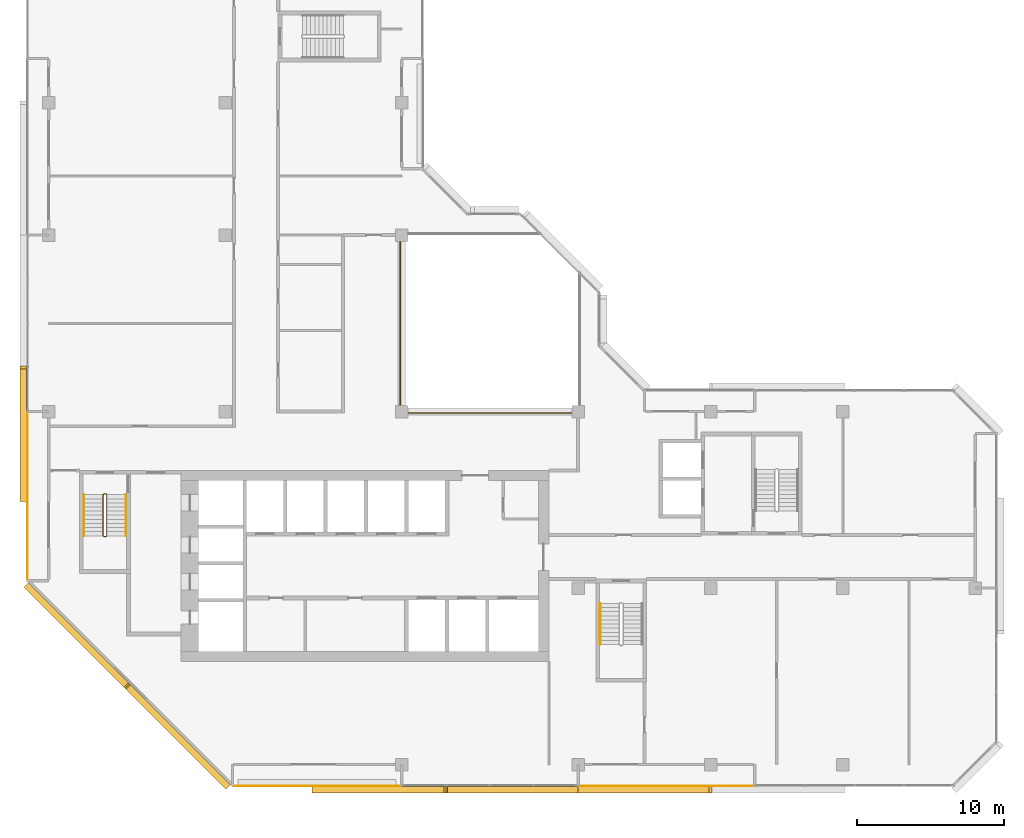
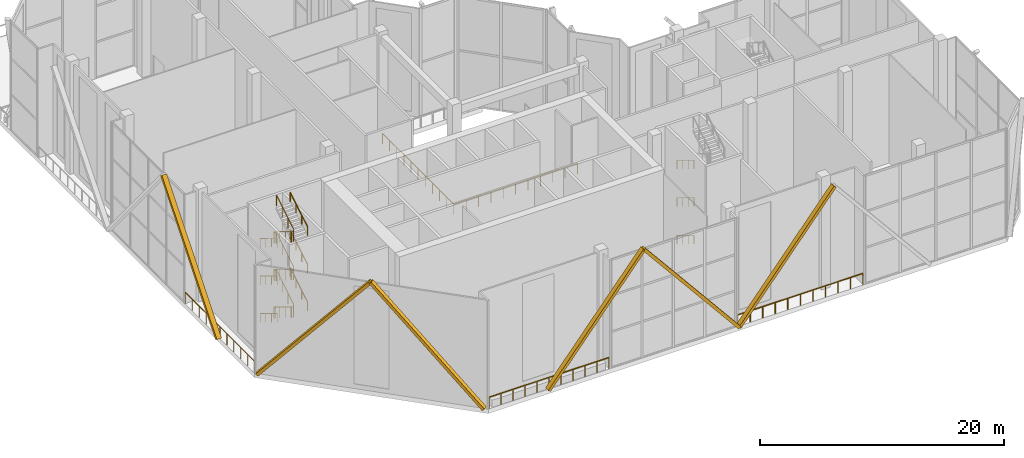
# One storey, part 15 of 18: 14 railings, 6 coverings.
"""IFC4 building model written with IfcOpenShell, lengths in metres."""

import ifcopenshell
import ifcopenshell.guid

model = None  # the IFC model being written
_history = None  # IfcOwnerHistory: only IFC2X3 demands one
_inside = {}  # id of a spatial element -> (the spatial element, [elements in it])
_under = {}  # id of a project, library or spatial element -> (it, [spatial elements below it])
_declared = {}  # id of a project -> (the project, [libraries it declares])
_typed = {}  # id of a type object -> (the type object, [elements of that type])
_made_of = {}  # id of a material, layer set ... -> (it, [elements and type objects made of it])


def new_model(schema):
    """Start an empty IFC model of exactly this schema.

    Asked for "IFC4X3", IfcOpenShell would pick the latest addendum, in which some entities
    have other attributes; the version numbers below select the first issue.
    IFC2X3 requires an IfcOwnerHistory on every rooted entity: one is made here for all.
    """
    global model, _history
    if schema == "IFC4X3":
        model = ifcopenshell.file(schema_version=(4, 3, 0, 0))
    else:
        model = ifcopenshell.file(schema=schema)
    _inside.clear()
    _under.clear()
    _declared.clear()
    _typed.clear()
    _made_of.clear()
    _history = None
    if model.schema == "IFC2X3":
        org = make("IfcOrganization", Name="unknown")
        user = make(
            "IfcPersonAndOrganization",
            ThePerson=make("IfcPerson", FamilyName="unknown"),
            TheOrganization=org,
        )
        app = make(
            "IfcApplication",
            ApplicationDeveloper=org,
            Version="unknown",
            ApplicationFullName="unknown",
            ApplicationIdentifier="unknown",
        )
        _history = make(
            "IfcOwnerHistory",
            OwningUser=user,
            OwningApplication=app,
            ChangeAction="ADDED",
            CreationDate=0,
        )
    return model


def make(cls, **values):
    """One entity of the class cls with the attributes given. An attribute that is None is left unset."""
    return model.create_entity(
        cls, **{name: value for name, value in values.items() if value is not None}
    )


def rooted(cls, **values):
    """An entity with a GlobalId (a new one), such as an element, a storey or a relation."""
    return make(cls, GlobalId=ifcopenshell.guid.new(), OwnerHistory=_history, **values)


def si_unit(unit_type, name, prefix=None):
    """IfcSIUnit, for example si_unit("LENGTHUNIT", "METRE", prefix="MILLI")."""
    return make("IfcSIUnit", UnitType=unit_type, Prefix=prefix, Name=name)


def assignment(units):
    """IfcUnitAssignment: the units of a project."""
    return None if units is None else make("IfcUnitAssignment", Units=units)


def point(xyz):
    """IfcCartesianPoint."""
    return None if xyz is None else make("IfcCartesianPoint", Coordinates=xyz)


def direction(xyz):
    """IfcDirection."""
    return None if xyz is None else make("IfcDirection", DirectionRatios=xyz)


def frame(location, z_axis=None, x_axis=None):
    """IfcAxis2Placement3D, a coordinate frame: its origin and axes. An axis left out is left unset."""
    return make(
        "IfcAxis2Placement3D",
        Location=point(location),
        Axis=direction(z_axis),
        RefDirection=direction(x_axis),
    )


def frame_2d(location, x_axis=None):
    """IfcAxis2Placement2D, a coordinate frame in the plane: its origin and x axis."""
    return make(
        "IfcAxis2Placement2D", Location=point(location), RefDirection=direction(x_axis)
    )


def origin():
    """The frame at (0, 0, 0) with its axes left unset."""
    return frame((0.0, 0.0, 0.0))


def origin_2d():
    """The frame at (0, 0) in the plane with its x axis left unset."""
    return frame_2d((0.0, 0.0))


def place(relative_to, where):
    """IfcLocalPlacement: puts the frame where relative to a parent placement (None: the world)."""
    return make(
        "IfcLocalPlacement", PlacementRelTo=relative_to, RelativePlacement=where
    )


def context(
    kind, dimensions, precision=None, world=None, true_north=None, identifier=None
):
    """IfcGeometricRepresentationContext, for example the 3D "Model" context."""
    return make(
        "IfcGeometricRepresentationContext",
        ContextIdentifier=identifier,
        ContextType=kind,
        CoordinateSpaceDimension=dimensions,
        Precision=precision,
        WorldCoordinateSystem=world,
        TrueNorth=true_north,
    )


def subcontext(parent, identifier, kind, view, scale=None):
    """IfcGeometricRepresentationSubContext, for example "Body" below "Model"."""
    return make(
        "IfcGeometricRepresentationSubContext",
        ContextIdentifier=identifier,
        ContextType=kind,
        ParentContext=parent,
        TargetScale=scale,
        TargetView=view,
    )


def project(units=None, contexts=None):
    """IfcProject with its units and contexts."""
    return rooted(
        "IfcProject",
        Name="project",
        RepresentationContexts=contexts,
        UnitsInContext=assignment(units),
    )


def spatial(cls, under=None, at=None, **own):
    """A site, building, storey or space (cls), placed at a placement, below another one or the project."""
    s = rooted(cls, ObjectPlacement=at, **own)
    if under is not None:
        _under.setdefault(under.id(), (under, []))[1].append(s)
    return s


def profile(cls, at=None, kind="AREA", **sizes):
    """A parametric profile (cls). Its sizes go by their IFC names, for example OverallWidth=200.0."""
    return make(cls, ProfileType=kind, Position=at, **sizes)


def rectangle(**sizes):
    """IfcRectangleProfileDef."""
    return profile("IfcRectangleProfileDef", **sizes)


def extrude(swept, where, along, depth):
    """IfcExtrudedAreaSolid: the profile swept, set in the frame where, extruded along a direction by depth."""
    return make(
        "IfcExtrudedAreaSolid",
        SweptArea=swept,
        Position=where,
        ExtrudedDirection=direction(along),
        Depth=depth,
    )


def shape(context_of_items, identifier, shape_type, items):
    """IfcShapeRepresentation: the items that make up one representation, for example the "Body"."""
    return make(
        "IfcShapeRepresentation",
        ContextOfItems=context_of_items,
        RepresentationIdentifier=identifier,
        RepresentationType=shape_type,
        Items=items,
    )


def material(Name=None, Category=None):
    """IfcMaterial."""
    return make("IfcMaterial", Name=Name, Category=Category)


def material_profile(
    of_material, cross_section, Name=None, Category=None, Priority=None
):
    """IfcMaterialProfile: a cross section and its material."""
    return make(
        "IfcMaterialProfile",
        Name=Name,
        Material=of_material,
        Profile=cross_section,
        Priority=Priority,
        Category=Category,
    )


def profile_set(profiles, Name=None, composite=None):
    """IfcMaterialProfileSet."""
    return make(
        "IfcMaterialProfileSet",
        Name=Name,
        MaterialProfiles=profiles,
        CompositeProfile=composite,
    )


def made_of(thing, what):
    """Note that an element or type object is made of a material, layer set ...; save() writes the relation."""
    if what is not None:
        _made_of.setdefault(what.id(), (what, []))[1].append(thing)
    return thing


def type_object(cls, material=None, **own):
    """A type object (cls), such as IfcWallType, which elements share."""
    return made_of(rooted(cls, **own), material)


def element(
    cls,
    number,
    at=None,
    inside=None,
    cuts=None,
    type_object=None,
    material=None,
    context=None,
    identifier="Body",
    shape_type=None,
    held_by="IfcProductDefinitionShape",
    body=None,
    shapes=None,
    **own,
):
    """One element of the class cls, such as IfcWall. Its Tag is "e" and its number.

    at: its placement. inside: the storey or other place that contains it. cuts: it is an
    opening in that element (IfcRelVoidsElement). A single representation is given by context,
    identifier, shape_type and body (its items); several are given by shapes. held_by: the class
    of the entity that holds the representations. save() writes the other relations.
    """
    e = rooted(cls, Tag="e%d" % number, ObjectPlacement=at, **own)
    if body is not None:
        shapes = [shape(context, identifier, shape_type, body)]
    if shapes is not None:
        e.Representation = make(held_by, Representations=shapes)
    if inside is not None:
        _inside.setdefault(inside.id(), (inside, []))[1].append(e)
    if cuts is not None:
        rooted(
            "IfcRelVoidsElement", RelatingBuildingElement=cuts, RelatedOpeningElement=e
        )
    if type_object is not None:
        _typed.setdefault(type_object.id(), (type_object, []))[1].append(e)
    return made_of(e, material)


def aggregate(whole, parts):
    """IfcRelAggregates: a whole, such as a stair, and the parts it consists of."""
    return rooted("IfcRelAggregates", RelatingObject=whole, RelatedObjects=parts)


def save(model, path):
    """Write the relations noted so far, then the file.

    IfcRelAggregates (storeys below a building ...), IfcRelContainedInSpatialStructure (elements
    in a storey), IfcRelDefinesByType, IfcRelAssociatesMaterial and IfcRelDeclares: one each for
    every whole, place, type object, material and project.
    """
    for whole, parts in _under.values():
        aggregate(whole, parts)
    for where, things in _inside.values():
        rooted(
            "IfcRelContainedInSpatialStructure",
            RelatedElements=things,
            RelatingStructure=where,
        )
    for kind, things in _typed.values():
        rooted("IfcRelDefinesByType", RelatedObjects=things, RelatingType=kind)
    for what, things in _made_of.values():
        rooted("IfcRelAssociatesMaterial", RelatedObjects=things, RelatingMaterial=what)
    for by, libraries in _declared.values():
        rooted("IfcRelDeclares", RelatingContext=by, RelatedDefinitions=libraries)
    model.write(path)


model = new_model("IFC4")

# Units and contexts
model_context = context("Model", 3, precision=1e-05, world=origin(), true_north=direction((0.0, 1.0)))
body_context = subcontext(model_context, "Body", "Model", "MODEL_VIEW")
ifc_project = project(units=[si_unit("LENGTHUNIT", "METRE"), si_unit("AREAUNIT", "SQUARE_METRE"), si_unit("VOLUMEUNIT", "CUBIC_METRE"), si_unit("PLANEANGLEUNIT", "RADIAN"), si_unit("MASSUNIT", "GRAM", prefix="KILO")], contexts=[model_context])

# Site, building, storey
site_placement = place(None, origin())
site = spatial("IfcSite", under=ifc_project, at=site_placement, CompositionType="ELEMENT")
building_placement = place(site_placement, origin())
building = spatial("IfcBuilding", under=site, at=building_placement, Name="Chenar Terraces", CompositionType="ELEMENT")
storey_placement = place(building_placement, frame((0.0, 0.0, 262.14990234375)))
storey = spatial("IfcBuildingStorey", under=building, at=storey_placement, Name="L62", CompositionType="ELEMENT", Elevation=262.14990234375)

# Railings
ifc_material_1 = material(Name="Powder-coated steel", Category="steel")
railing_type_1 = type_object("IfcRailingType", Name="Guard 1100 steel rail with glass infill", PredefinedType="GUARDRAIL", material=ifc_material_1)
railing_1_placement = place(storey_placement, frame((23.89990234375, 35.574951171875, 0.0)))
element("IfcRailing", 1, at=railing_1_placement, inside=storey, type_object=railing_type_1, Name="Guard L62-1", PredefinedType="GUARDRAIL", context=body_context, shape_type="SweptSolid", body=[
    extrude(rectangle(XDim=0.06005859375, YDim=0.06005859375, at=origin_2d()), frame((0.0, 0.0, 1.070068359375), z_axis=(0.0, -1.0, 0.0), x_axis=(1.0, 0.0, 0.0)), (0.0, 0.0, 1.0), 11.675048828125),
    extrude(rectangle(XDim=0.06005859375, YDim=0.06005859375, at=origin_2d()), frame((0.0, -11.675048828125, 1.070068359375), z_axis=(1.0, 0.0, 0.0), x_axis=(0.0, 1.0, 0.0)), (0.0, 0.0, 1.0), 11.675048828125),
    extrude(rectangle(XDim=0.050048828125, YDim=0.050048828125, at=origin_2d()), origin(), (0.0, 0.0, 1.0), 1.0400390625),
    extrude(rectangle(XDim=0.050048828125, YDim=0.050048828125, at=origin_2d()), frame((0.0, -1.16748046875, 0.0)), (0.0, 0.0, 1.0), 1.0400390625),
    extrude(rectangle(XDim=0.050048828125, YDim=0.050048828125, at=origin_2d()), frame((0.0, -2.3349609375, 0.0)), (0.0, 0.0, 1.0), 1.0400390625),
    extrude(rectangle(XDim=0.050048828125, YDim=0.050048828125, at=origin_2d()), frame((0.0, -3.50244140625, 0.0)), (0.0, 0.0, 1.0), 1.0400390625),
    extrude(rectangle(XDim=0.050048828125, YDim=0.050048828125, at=origin_2d()), frame((0.0, -4.669921875, 0.0)), (0.0, 0.0, 1.0), 1.0400390625),
    extrude(rectangle(XDim=0.050048828125, YDim=0.050048828125, at=origin_2d()), frame((0.0, -5.83740234375, 0.0)), (0.0, 0.0, 1.0), 1.0400390625),
    extrude(rectangle(XDim=0.050048828125, YDim=0.050048828125, at=origin_2d()), frame((0.0, -7.005126953125, 0.0)), (0.0, 0.0, 1.0), 1.0400390625),
    extrude(rectangle(XDim=0.050048828125, YDim=0.050048828125, at=origin_2d()), frame((0.0, -8.172607421875, 0.0)), (0.0, 0.0, 1.0), 1.0400390625),
    extrude(rectangle(XDim=0.050048828125, YDim=0.050048828125, at=origin_2d()), frame((0.0, -9.340087890625, 0.0)), (0.0, 0.0, 1.0), 1.0400390625),
    extrude(rectangle(XDim=0.050048828125, YDim=0.050048828125, at=origin_2d()), frame((0.0, -10.507568359375, 0.0)), (0.0, 0.0, 1.0), 1.0400390625),
    extrude(rectangle(XDim=0.050048828125, YDim=0.050048828125, at=origin_2d()), frame((0.0, -11.675048828125, 0.0)), (0.0, 0.0, 1.0), 1.0400390625),
    extrude(rectangle(XDim=0.050048828125, YDim=0.050048828125, at=origin_2d()), frame((1.16748046875, -11.675048828125, 0.0)), (0.0, 0.0, 1.0), 1.0400390625),
    extrude(rectangle(XDim=0.050048828125, YDim=0.050048828125, at=origin_2d()), frame((2.3349609375, -11.675048828125, 0.0)), (0.0, 0.0, 1.0), 1.0400390625),
    extrude(rectangle(XDim=0.050048828125, YDim=0.050048828125, at=origin_2d()), frame((3.50244140625, -11.675048828125, 0.0)), (0.0, 0.0, 1.0), 1.0400390625),
    extrude(rectangle(XDim=0.050048828125, YDim=0.050048828125, at=origin_2d()), frame((4.669921875, -11.675048828125, 0.0)), (0.0, 0.0, 1.0), 1.0400390625),
    extrude(rectangle(XDim=0.050048828125, YDim=0.050048828125, at=origin_2d()), frame((5.83740234375, -11.675048828125, 0.0)), (0.0, 0.0, 1.0), 1.0400390625),
    extrude(rectangle(XDim=0.050048828125, YDim=0.050048828125, at=origin_2d()), frame((7.005126953125, -11.675048828125, 0.0)), (0.0, 0.0, 1.0), 1.0400390625),
    extrude(rectangle(XDim=0.050048828125, YDim=0.050048828125, at=origin_2d()), frame((8.172607421875, -11.675048828125, 0.0)), (0.0, 0.0, 1.0), 1.0400390625),
    extrude(rectangle(XDim=0.050048828125, YDim=0.050048828125, at=origin_2d()), frame((9.340087890625, -11.675048828125, 0.0)), (0.0, 0.0, 1.0), 1.0400390625),
    extrude(rectangle(XDim=0.050048828125, YDim=0.050048828125, at=origin_2d()), frame((10.507568359375, -11.675048828125, 0.0)), (0.0, 0.0, 1.0), 1.0400390625),
    extrude(rectangle(XDim=0.050048828125, YDim=0.050048828125, at=origin_2d()), frame((11.675048828125, -11.675048828125, 0.0)), (0.0, 0.0, 1.0), 1.0400390625),
])
ifc_material_2 = material(Name="Stainless steel and glass", Category="steel")
railing_type_2 = type_object("IfcRailingType", Name="Loggia guard 1150", PredefinedType="GUARDRAIL", material=ifc_material_2)
railing_2_placement = place(storey_placement, frame((12.574951171875, -1.449951171875, 0.0)))
element("IfcRailing", 2, at=railing_2_placement, inside=storey, type_object=railing_type_2, Name="Loggia guard", PredefinedType="GUARDRAIL", context=body_context, shape_type="SweptSolid", body=[
    extrude(rectangle(XDim=0.048095703125, YDim=0.048095703125, at=origin_2d()), frame((0.0, 0.0, 1.1259765625), z_axis=(1.0, 0.0, 0.0), x_axis=(0.0, 1.0, 0.0)), (0.0, 0.0, 1.0), 11.35009765625),
    extrude(rectangle(XDim=0.0419921875, YDim=0.0419921875, at=origin_2d()), origin(), (0.0, 0.0, 1.0), 1.101806640625),
    extrude(rectangle(XDim=0.0419921875, YDim=0.0419921875, at=origin_2d()), frame((1.135009765625, 0.0, 0.0)), (0.0, 0.0, 1.0), 1.101806640625),
    extrude(rectangle(XDim=0.0419921875, YDim=0.0419921875, at=origin_2d()), frame((2.27001953125, 0.0, 0.0)), (0.0, 0.0, 1.0), 1.101806640625),
    extrude(rectangle(XDim=0.0419921875, YDim=0.0419921875, at=origin_2d()), frame((3.405029296875, 0.0, 0.0)), (0.0, 0.0, 1.0), 1.101806640625),
    extrude(rectangle(XDim=0.0419921875, YDim=0.0419921875, at=origin_2d()), frame((4.5400390625, 0.0, 0.0)), (0.0, 0.0, 1.0), 1.101806640625),
    extrude(rectangle(XDim=0.0419921875, YDim=0.0419921875, at=origin_2d()), frame((5.675048828125, 0.0, 0.0)), (0.0, 0.0, 1.0), 1.101806640625),
    extrude(rectangle(XDim=0.0419921875, YDim=0.0419921875, at=origin_2d()), frame((6.81005859375, 0.0, 0.0)), (0.0, 0.0, 1.0), 1.101806640625),
    extrude(rectangle(XDim=0.0419921875, YDim=0.0419921875, at=origin_2d()), frame((7.945068359375, 0.0, 0.0)), (0.0, 0.0, 1.0), 1.101806640625),
    extrude(rectangle(XDim=0.0419921875, YDim=0.0419921875, at=origin_2d()), frame((9.080078125, 0.0, 0.0)), (0.0, 0.0, 1.0), 1.101806640625),
    extrude(rectangle(XDim=0.0419921875, YDim=0.0419921875, at=origin_2d()), frame((10.215087890625, 0.0, 0.0)), (0.0, 0.0, 1.0), 1.101806640625),
    extrude(rectangle(XDim=0.0419921875, YDim=0.0419921875, at=origin_2d()), frame((11.35009765625, 0.0, 0.0)), (0.0, 0.0, 1.0), 1.101806640625),
])
railing_3_placement = place(storey_placement, frame((36.074951171875, -1.449951171875, 0.0)))
element("IfcRailing", 3, at=railing_3_placement, inside=storey, type_object=railing_type_2, Name="Loggia guard", PredefinedType="GUARDRAIL", context=body_context, shape_type="SweptSolid", body=[
    extrude(rectangle(XDim=0.048095703125, YDim=0.048095703125, at=origin_2d()), frame((0.0, 0.0, 1.1259765625), z_axis=(1.0, 0.0, 0.0), x_axis=(0.0, 1.0, 0.0)), (0.0, 0.0, 1.0), 11.85009765625),
    extrude(rectangle(XDim=0.0419921875, YDim=0.0419921875, at=origin_2d()), origin(), (0.0, 0.0, 1.0), 1.101806640625),
    extrude(rectangle(XDim=0.0419921875, YDim=0.0419921875, at=origin_2d()), frame((1.18505859375, 0.0, 0.0)), (0.0, 0.0, 1.0), 1.101806640625),
    extrude(rectangle(XDim=0.0419921875, YDim=0.0419921875, at=origin_2d()), frame((2.3701171875, 0.0, 0.0)), (0.0, 0.0, 1.0), 1.101806640625),
    extrude(rectangle(XDim=0.0419921875, YDim=0.0419921875, at=origin_2d()), frame((3.554931640625, 0.0, 0.0)), (0.0, 0.0, 1.0), 1.101806640625),
    extrude(rectangle(XDim=0.0419921875, YDim=0.0419921875, at=origin_2d()), frame((4.739990234375, 0.0, 0.0)), (0.0, 0.0, 1.0), 1.101806640625),
    extrude(rectangle(XDim=0.0419921875, YDim=0.0419921875, at=origin_2d()), frame((5.925048828125, 0.0, 0.0)), (0.0, 0.0, 1.0), 1.101806640625),
    extrude(rectangle(XDim=0.0419921875, YDim=0.0419921875, at=origin_2d()), frame((7.110107421875, 0.0, 0.0)), (0.0, 0.0, 1.0), 1.101806640625),
    extrude(rectangle(XDim=0.0419921875, YDim=0.0419921875, at=origin_2d()), frame((8.295166015625, 0.0, 0.0)), (0.0, 0.0, 1.0), 1.101806640625),
    extrude(rectangle(XDim=0.0419921875, YDim=0.0419921875, at=origin_2d()), frame((9.47998046875, 0.0, 0.0)), (0.0, 0.0, 1.0), 1.101806640625),
    extrude(rectangle(XDim=0.0419921875, YDim=0.0419921875, at=origin_2d()), frame((10.6650390625, 0.0, 0.0)), (0.0, 0.0, 1.0), 1.101806640625),
    extrude(rectangle(XDim=0.0419921875, YDim=0.0419921875, at=origin_2d()), frame((11.85009765625, 0.0, 0.0)), (0.0, 0.0, 1.0), 1.101806640625),
])
railing_4_placement = place(storey_placement, frame((-1.449951171875, 23.925048828125, 0.0)))
element("IfcRailing", 4, at=railing_4_placement, inside=storey, type_object=railing_type_2, Name="Loggia guard", PredefinedType="GUARDRAIL", context=body_context, shape_type="SweptSolid", body=[
    extrude(rectangle(XDim=0.048095703125, YDim=0.048095703125, at=origin_2d()), frame((0.0, 0.0, 1.1259765625), z_axis=(0.0, -1.0, 0.0), x_axis=(1.0, 0.0, 0.0)), (0.0, 0.0, 1.0), 11.35009765625),
    extrude(rectangle(XDim=0.0419921875, YDim=0.0419921875, at=origin_2d()), origin(), (0.0, 0.0, 1.0), 1.101806640625),
    extrude(rectangle(XDim=0.0419921875, YDim=0.0419921875, at=origin_2d()), frame((0.0, -1.135009765625, 0.0)), (0.0, 0.0, 1.0), 1.101806640625),
    extrude(rectangle(XDim=0.0419921875, YDim=0.0419921875, at=origin_2d()), frame((0.0, -2.27001953125, 0.0)), (0.0, 0.0, 1.0), 1.101806640625),
    extrude(rectangle(XDim=0.0419921875, YDim=0.0419921875, at=origin_2d()), frame((0.0, -3.405029296875, 0.0)), (0.0, 0.0, 1.0), 1.101806640625),
    extrude(rectangle(XDim=0.0419921875, YDim=0.0419921875, at=origin_2d()), frame((0.0, -4.5400390625, 0.0)), (0.0, 0.0, 1.0), 1.101806640625),
    extrude(rectangle(XDim=0.0419921875, YDim=0.0419921875, at=origin_2d()), frame((0.0, -5.675048828125, 0.0)), (0.0, 0.0, 1.0), 1.101806640625),
    extrude(rectangle(XDim=0.0419921875, YDim=0.0419921875, at=origin_2d()), frame((0.0, -6.81005859375, 0.0)), (0.0, 0.0, 1.0), 1.101806640625),
    extrude(rectangle(XDim=0.0419921875, YDim=0.0419921875, at=origin_2d()), frame((0.0, -7.945068359375, 0.0)), (0.0, 0.0, 1.0), 1.101806640625),
    extrude(rectangle(XDim=0.0419921875, YDim=0.0419921875, at=origin_2d()), frame((0.0, -9.080078125, 0.0)), (0.0, 0.0, 1.0), 1.101806640625),
    extrude(rectangle(XDim=0.0419921875, YDim=0.0419921875, at=origin_2d()), frame((0.0, -10.215087890625, 0.0)), (0.0, 0.0, 1.0), 1.101806640625),
    extrude(rectangle(XDim=0.0419921875, YDim=0.0419921875, at=origin_2d()), frame((0.0, -11.35009765625, 0.0)), (0.0, 0.0, 1.0), 1.101806640625),
])
ifc_material_3 = material(Name="Powder-coated steel", Category="steel")
railing_type_3 = type_object("IfcRailingType", Name="Stair guard 1100", PredefinedType="GUARDRAIL", material=ifc_material_3)
railing_5_placement = place(storey_placement, frame((3.949951171875, 18.35009765625, 11.25)))
element("IfcRailing", 5, at=railing_5_placement, inside=storey, type_object=railing_type_3, Name="L62 ST1 stair guard 1", PredefinedType="GUARDRAIL", context=body_context, shape_type="SweptSolid", body=[
    extrude(rectangle(XDim=0.048095703125, YDim=0.048095703125, at=origin_2d()), frame((0.0, 0.0, 1.076171875), z_axis=(0.0, -0.854202870247, -0.519939858505), x_axis=(1.0, 0.0, 0.0)), (0.0, 0.0, 1.0), 3.278076171875),
    extrude(rectangle(XDim=0.048095703125, YDim=0.048095703125, at=origin_2d()), frame((0.0, -2.800048828125, -0.62841796875), z_axis=(-0.270899902878, -0.270899902878, -0.923702595667), x_axis=(0.707106781187, -0.707106781187, 0.0)), (0.0, 0.0, 1.0), 0.184814453125),
    extrude(rectangle(XDim=0.048095703125, YDim=0.048095703125, at=origin_2d()), frame((-0.050048828125, -2.85009765625, -0.798828125), z_axis=(-1.0, 0.0, 0.0), x_axis=(0.0, -1.0, 0.0)), (0.0, 0.0, 1.0), 0.14990234375),
    extrude(rectangle(XDim=0.048095703125, YDim=0.048095703125, at=origin_2d()), frame((-0.199951171875, -2.85009765625, -0.798828125), z_axis=(-0.707106781187, 0.707106781187, 0.0), x_axis=(-0.707106781187, -0.707106781187, 0.0)), (0.0, 0.0, 1.0), 0.07080078125),
    extrude(rectangle(XDim=0.048095703125, YDim=0.048095703125, at=origin_2d()), frame((-0.25, -2.800048828125, -0.798828125), z_axis=(0.0, 0.854202870247, -0.519939858505), x_axis=(-1.0, 0.0, 0.0)), (0.0, 0.0, 1.0), 3.278076171875),
    extrude(rectangle(XDim=0.048095703125, YDim=0.048095703125, at=origin_2d()), frame((-0.25, 0.0, -2.50341796875), z_axis=(0.747336813268, 0.186149828946, -0.637836913888), x_axis=(-0.241699205484, 0.970351222016, 0.0)), (0.0, 0.0, 1.0), 0.267578125),
    extrude(rectangle(XDim=0.048095703125, YDim=0.048095703125, at=origin_2d()), frame((-0.050048828125, 0.0498046875, -2.673828125), z_axis=(-1.0, 0.0, 0.0), x_axis=(0.0, -1.0, 0.0)), (0.0, 0.0, 1.0), 0.14990234375),
    extrude(rectangle(XDim=0.048095703125, YDim=0.048095703125, at=origin_2d()), frame((-0.199951171875, 0.0498046875, -2.673828125), z_axis=(0.970351222016, -0.241699205484, 0.0), x_axis=(0.241699205484, 0.970351222016, 0.0)), (0.0, 0.0, 1.0), 0.2060546875),
    extrude(rectangle(XDim=0.048095703125, YDim=0.048095703125, at=origin_2d()), frame((0.0, 0.0, -2.673828125), z_axis=(0.0, -0.854202870247, -0.519939858505), x_axis=(1.0, 0.0, 0.0)), (0.0, 0.0, 1.0), 3.278076171875),
    extrude(rectangle(XDim=0.048095703125, YDim=0.048095703125, at=origin_2d()), frame((0.0, -2.800048828125, -4.37841796875), z_axis=(-0.270899902878, -0.270899902878, -0.923702595667), x_axis=(0.707106781187, -0.707106781187, 0.0)), (0.0, 0.0, 1.0), 0.184814453125),
    extrude(rectangle(XDim=0.048095703125, YDim=0.048095703125, at=origin_2d()), frame((-0.050048828125, -2.85009765625, -4.548828125), z_axis=(-1.0, 0.0, 0.0), x_axis=(0.0, -1.0, 0.0)), (0.0, 0.0, 1.0), 0.14990234375),
    extrude(rectangle(XDim=0.048095703125, YDim=0.048095703125, at=origin_2d()), frame((-0.199951171875, -2.85009765625, -4.548828125), z_axis=(-0.707106781187, 0.707106781187, 0.0), x_axis=(-0.707106781187, -0.707106781187, 0.0)), (0.0, 0.0, 1.0), 0.07080078125),
    extrude(rectangle(XDim=0.048095703125, YDim=0.048095703125, at=origin_2d()), frame((-0.25, -2.800048828125, -4.548828125), z_axis=(0.0, 0.854202870247, -0.519939858505), x_axis=(-1.0, 0.0, 0.0)), (0.0, 0.0, 1.0), 3.278076171875),
    extrude(rectangle(XDim=0.048095703125, YDim=0.048095703125, at=origin_2d()), frame((-0.25, 0.0, -6.25341796875), z_axis=(0.747336813268, 0.186149828946, -0.637836913888), x_axis=(-0.241699205484, 0.970351222016, 0.0)), (0.0, 0.0, 1.0), 0.267578125),
    extrude(rectangle(XDim=0.048095703125, YDim=0.048095703125, at=origin_2d()), frame((-0.050048828125, 0.0498046875, -6.423828125), z_axis=(-1.0, 0.0, 0.0), x_axis=(0.0, -1.0, 0.0)), (0.0, 0.0, 1.0), 0.14990234375),
    extrude(rectangle(XDim=0.048095703125, YDim=0.048095703125, at=origin_2d()), frame((-0.199951171875, 0.0498046875, -6.423828125), z_axis=(0.970351222016, -0.241699205484, 0.0), x_axis=(0.241699205484, 0.970351222016, 0.0)), (0.0, 0.0, 1.0), 0.2060546875),
    extrude(rectangle(XDim=0.048095703125, YDim=0.048095703125, at=origin_2d()), frame((0.0, 0.0, -6.423828125), z_axis=(0.0, -0.854202870247, -0.519939858505), x_axis=(1.0, 0.0, 0.0)), (0.0, 0.0, 1.0), 3.278076171875),
    extrude(rectangle(XDim=0.048095703125, YDim=0.048095703125, at=origin_2d()), frame((0.0, -2.800048828125, -8.12841796875), z_axis=(-0.270899902878, -0.270899902878, -0.923702595667), x_axis=(0.707106781187, -0.707106781187, 0.0)), (0.0, 0.0, 1.0), 0.184814453125),
    extrude(rectangle(XDim=0.048095703125, YDim=0.048095703125, at=origin_2d()), frame((-0.050048828125, -2.85009765625, -8.298828125), z_axis=(-1.0, 0.0, 0.0), x_axis=(0.0, -1.0, 0.0)), (0.0, 0.0, 1.0), 0.14990234375),
    extrude(rectangle(XDim=0.048095703125, YDim=0.048095703125, at=origin_2d()), frame((-0.199951171875, -2.85009765625, -8.298828125), z_axis=(-0.707106781187, 0.707106781187, 0.0), x_axis=(-0.707106781187, -0.707106781187, 0.0)), (0.0, 0.0, 1.0), 0.07080078125),
    extrude(rectangle(XDim=0.048095703125, YDim=0.048095703125, at=origin_2d()), frame((-0.25, -2.800048828125, -8.298828125), z_axis=(0.0, 0.854202870247, -0.519939858505), x_axis=(-1.0, 0.0, 0.0)), (0.0, 0.0, 1.0), 3.278076171875),
    extrude(rectangle(XDim=0.048095703125, YDim=0.048095703125, at=origin_2d()), frame((-0.25, 0.0, -10.00341796875), z_axis=(0.270996696079, 0.269674760976, -0.924032636873), x_axis=(-0.705375805398, 0.708833529934, 0.0)), (0.0, 0.0, 1.0), 0.1845703125),
    extrude(rectangle(XDim=0.048095703125, YDim=0.048095703125, at=origin_2d()), frame((-0.199951171875, 0.0498046875, -10.173828125), z_axis=(1.0, 0.0, 0.0), x_axis=(0.0, 1.0, 0.0)), (0.0, 0.0, 1.0), 0.14990234375),
    extrude(rectangle(XDim=0.0419921875, YDim=0.0419921875, at=origin_2d()), origin(), (0.0, 0.0, 1.0), 1.052001953125),
    extrude(rectangle(XDim=0.0419921875, YDim=0.0419921875, at=origin_2d()), frame((0.0, -0.933349609375, -0.568115234375)), (0.0, 0.0, 1.0), 1.052001953125),
    extrude(rectangle(XDim=0.0419921875, YDim=0.0419921875, at=origin_2d()), frame((0.0, -1.86669921875, -1.13623046875)), (0.0, 0.0, 1.0), 1.052001953125),
    extrude(rectangle(XDim=0.0419921875, YDim=0.0419921875, at=origin_2d()), frame((0.0, -2.800048828125, -1.704345703125)), (0.0, 0.0, 1.0), 1.052001953125),
    extrude(rectangle(XDim=0.0419921875, YDim=0.0419921875, at=origin_2d()), frame((-0.050048828125, -2.85009765625, -1.875)), (0.0, 0.0, 1.0), 1.052001953125),
    extrude(rectangle(XDim=0.0419921875, YDim=0.0419921875, at=origin_2d()), frame((-0.199951171875, -2.85009765625, -1.875)), (0.0, 0.0, 1.0), 1.052001953125),
    extrude(rectangle(XDim=0.0419921875, YDim=0.0419921875, at=origin_2d()), frame((-0.25, -2.800048828125, -1.875)), (0.0, 0.0, 1.0), 1.052001953125),
    extrude(rectangle(XDim=0.0419921875, YDim=0.0419921875, at=origin_2d()), frame((-0.25, -1.86669921875, -2.443115234375)), (0.0, 0.0, 1.0), 1.052001953125),
    extrude(rectangle(XDim=0.0419921875, YDim=0.0419921875, at=origin_2d()), frame((-0.25, -0.933349609375, -3.01123046875)), (0.0, 0.0, 1.0), 1.052001953125),
    extrude(rectangle(XDim=0.0419921875, YDim=0.0419921875, at=origin_2d()), frame((-0.25, 0.0, -3.579345703125)), (0.0, 0.0, 1.0), 1.052001953125),
    extrude(rectangle(XDim=0.0419921875, YDim=0.0419921875, at=origin_2d()), frame((-0.050048828125, 0.0498046875, -3.75)), (0.0, 0.0, 1.0), 1.052001953125),
    extrude(rectangle(XDim=0.0419921875, YDim=0.0419921875, at=origin_2d()), frame((-0.199951171875, 0.0498046875, -3.75)), (0.0, 0.0, 1.0), 1.052001953125),
    extrude(rectangle(XDim=0.0419921875, YDim=0.0419921875, at=origin_2d()), frame((0.0, 0.0, -3.75)), (0.0, 0.0, 1.0), 1.052001953125),
    extrude(rectangle(XDim=0.0419921875, YDim=0.0419921875, at=origin_2d()), frame((0.0, -0.933349609375, -4.318115234375)), (0.0, 0.0, 1.0), 1.052001953125),
    extrude(rectangle(XDim=0.0419921875, YDim=0.0419921875, at=origin_2d()), frame((0.0, -1.86669921875, -4.88623046875)), (0.0, 0.0, 1.0), 1.052001953125),
    extrude(rectangle(XDim=0.0419921875, YDim=0.0419921875, at=origin_2d()), frame((0.0, -2.800048828125, -5.454345703125)), (0.0, 0.0, 1.0), 1.052001953125),
    extrude(rectangle(XDim=0.0419921875, YDim=0.0419921875, at=origin_2d()), frame((-0.050048828125, -2.85009765625, -5.625)), (0.0, 0.0, 1.0), 1.052001953125),
    extrude(rectangle(XDim=0.0419921875, YDim=0.0419921875, at=origin_2d()), frame((-0.199951171875, -2.85009765625, -5.625)), (0.0, 0.0, 1.0), 1.052001953125),
    extrude(rectangle(XDim=0.0419921875, YDim=0.0419921875, at=origin_2d()), frame((-0.25, -2.800048828125, -5.625)), (0.0, 0.0, 1.0), 1.052001953125),
    extrude(rectangle(XDim=0.0419921875, YDim=0.0419921875, at=origin_2d()), frame((-0.25, -1.86669921875, -6.193115234375)), (0.0, 0.0, 1.0), 1.052001953125),
    extrude(rectangle(XDim=0.0419921875, YDim=0.0419921875, at=origin_2d()), frame((-0.25, -0.933349609375, -6.76123046875)), (0.0, 0.0, 1.0), 1.052001953125),
    extrude(rectangle(XDim=0.0419921875, YDim=0.0419921875, at=origin_2d()), frame((-0.25, 0.0, -7.329345703125)), (0.0, 0.0, 1.0), 1.052001953125),
    extrude(rectangle(XDim=0.0419921875, YDim=0.0419921875, at=origin_2d()), frame((-0.050048828125, 0.0498046875, -7.5)), (0.0, 0.0, 1.0), 1.052001953125),
    extrude(rectangle(XDim=0.0419921875, YDim=0.0419921875, at=origin_2d()), frame((-0.199951171875, 0.0498046875, -7.5)), (0.0, 0.0, 1.0), 1.052001953125),
    extrude(rectangle(XDim=0.0419921875, YDim=0.0419921875, at=origin_2d()), frame((0.0, 0.0, -7.5)), (0.0, 0.0, 1.0), 1.052001953125),
    extrude(rectangle(XDim=0.0419921875, YDim=0.0419921875, at=origin_2d()), frame((0.0, -0.933349609375, -8.068115234375)), (0.0, 0.0, 1.0), 1.052001953125),
    extrude(rectangle(XDim=0.0419921875, YDim=0.0419921875, at=origin_2d()), frame((0.0, -1.86669921875, -8.63623046875)), (0.0, 0.0, 1.0), 1.052001953125),
    extrude(rectangle(XDim=0.0419921875, YDim=0.0419921875, at=origin_2d()), frame((0.0, -2.800048828125, -9.204345703125)), (0.0, 0.0, 1.0), 1.052001953125),
    extrude(rectangle(XDim=0.0419921875, YDim=0.0419921875, at=origin_2d()), frame((-0.050048828125, -2.85009765625, -9.375)), (0.0, 0.0, 1.0), 1.052001953125),
    extrude(rectangle(XDim=0.0419921875, YDim=0.0419921875, at=origin_2d()), frame((-0.199951171875, -2.85009765625, -9.375)), (0.0, 0.0, 1.0), 1.052001953125),
    extrude(rectangle(XDim=0.0419921875, YDim=0.0419921875, at=origin_2d()), frame((-0.25, -2.800048828125, -9.375)), (0.0, 0.0, 1.0), 1.052001953125),
    extrude(rectangle(XDim=0.0419921875, YDim=0.0419921875, at=origin_2d()), frame((-0.25, -1.86669921875, -9.943115234375)), (0.0, 0.0, 1.0), 1.052001953125),
    extrude(rectangle(XDim=0.0419921875, YDim=0.0419921875, at=origin_2d()), frame((-0.25, -0.933349609375, -10.51123046875)), (0.0, 0.0, 1.0), 1.052001953125),
    extrude(rectangle(XDim=0.0419921875, YDim=0.0419921875, at=origin_2d()), frame((-0.25, 0.0, -11.079345703125)), (0.0, 0.0, 1.0), 1.052001953125),
    extrude(rectangle(XDim=0.0419921875, YDim=0.0419921875, at=origin_2d()), frame((-0.199951171875, 0.0498046875, -11.25)), (0.0, 0.0, 1.0), 1.052001953125),
    extrude(rectangle(XDim=0.0419921875, YDim=0.0419921875, at=origin_2d()), frame((-0.050048828125, 0.0498046875, -11.25)), (0.0, 0.0, 1.0), 1.052001953125),
])
ifc_material_4 = material(Name="Powder-coated steel", Category="steel")
railing_type_4 = type_object("IfcRailingType", Name="Stair handrail 900", PredefinedType="HANDRAIL", material=ifc_material_4)
railing_6_placement = place(storey_placement, frame((2.39990234375, 18.35009765625, 0.170654296875)))
element("IfcRailing", 6, at=railing_6_placement, inside=storey, type_object=railing_type_4, Name="L62 ST1 stair handrail 1", PredefinedType="HANDRAIL", context=body_context, shape_type="SweptSolid", body=[
    extrude(rectangle(XDim=0.048095703125, YDim=0.048095703125, at=origin_2d()), frame((0.0, 0.0, 0.8759765625), z_axis=(0.0, -0.854202870247, 0.519939858505), x_axis=(1.0, 0.0, 0.0)), (0.0, 0.0, 1.0), 3.278076171875),
    extrude(rectangle(XDim=0.0419921875, YDim=0.0419921875, at=origin_2d()), origin(), (0.0, 0.0, 1.0), 0.851806640625),
    extrude(rectangle(XDim=0.0419921875, YDim=0.0419921875, at=origin_2d()), frame((0.0, -0.933349609375, 0.568115234375)), (0.0, 0.0, 1.0), 0.851806640625),
    extrude(rectangle(XDim=0.0419921875, YDim=0.0419921875, at=origin_2d()), frame((0.0, -1.86669921875, 1.13623046875)), (0.0, 0.0, 1.0), 0.851806640625),
    extrude(rectangle(XDim=0.0419921875, YDim=0.0419921875, at=origin_2d()), frame((0.0, -2.800048828125, 1.704345703125)), (0.0, 0.0, 1.0), 0.851806640625),
])
railing_7_placement = place(storey_placement, frame((5.25, 15.550048828125, 2.045654296875)))
element("IfcRailing", 7, at=railing_7_placement, inside=storey, type_object=railing_type_4, Name="L62 ST1 stair handrail 2", PredefinedType="HANDRAIL", context=body_context, shape_type="SweptSolid", body=[
    extrude(rectangle(XDim=0.048095703125, YDim=0.048095703125, at=origin_2d()), frame((0.0, 0.0, 0.8759765625), z_axis=(0.0, 0.854202870247, 0.519939858505), x_axis=(-1.0, 0.0, 0.0)), (0.0, 0.0, 1.0), 3.278076171875),
    extrude(rectangle(XDim=0.0419921875, YDim=0.0419921875, at=origin_2d()), origin(), (0.0, 0.0, 1.0), 0.851806640625),
    extrude(rectangle(XDim=0.0419921875, YDim=0.0419921875, at=origin_2d()), frame((0.0, 0.933349609375, 0.568115234375)), (0.0, 0.0, 1.0), 0.851806640625),
    extrude(rectangle(XDim=0.0419921875, YDim=0.0419921875, at=origin_2d()), frame((0.0, 1.86669921875, 1.13623046875)), (0.0, 0.0, 1.0), 0.851806640625),
    extrude(rectangle(XDim=0.0419921875, YDim=0.0419921875, at=origin_2d()), frame((0.0, 2.800048828125, 1.704345703125)), (0.0, 0.0, 1.0), 0.851806640625),
])
railing_8_placement = place(storey_placement, frame((2.39990234375, 18.35009765625, 3.920654296875)))
element("IfcRailing", 8, at=railing_8_placement, inside=storey, type_object=railing_type_4, Name="L62 ST1 stair handrail 3", PredefinedType="HANDRAIL", context=body_context, shape_type="SweptSolid", body=[
    extrude(rectangle(XDim=0.048095703125, YDim=0.048095703125, at=origin_2d()), frame((0.0, 0.0, 0.8759765625), z_axis=(0.0, -0.854202870247, 0.519939858505), x_axis=(1.0, 0.0, 0.0)), (0.0, 0.0, 1.0), 3.278076171875),
    extrude(rectangle(XDim=0.0419921875, YDim=0.0419921875, at=origin_2d()), origin(), (0.0, 0.0, 1.0), 0.851806640625),
    extrude(rectangle(XDim=0.0419921875, YDim=0.0419921875, at=origin_2d()), frame((0.0, -0.933349609375, 0.568115234375)), (0.0, 0.0, 1.0), 0.851806640625),
    extrude(rectangle(XDim=0.0419921875, YDim=0.0419921875, at=origin_2d()), frame((0.0, -1.86669921875, 1.13623046875)), (0.0, 0.0, 1.0), 0.851806640625),
    extrude(rectangle(XDim=0.0419921875, YDim=0.0419921875, at=origin_2d()), frame((0.0, -2.800048828125, 1.704345703125)), (0.0, 0.0, 1.0), 0.851806640625),
])
railing_9_placement = place(storey_placement, frame((5.25, 15.550048828125, 5.795654296875)))
element("IfcRailing", 9, at=railing_9_placement, inside=storey, type_object=railing_type_4, Name="L62 ST1 stair handrail 4", PredefinedType="HANDRAIL", context=body_context, shape_type="SweptSolid", body=[
    extrude(rectangle(XDim=0.048095703125, YDim=0.048095703125, at=origin_2d()), frame((0.0, 0.0, 0.8759765625), z_axis=(0.0, 0.854202870247, 0.519939858505), x_axis=(-1.0, 0.0, 0.0)), (0.0, 0.0, 1.0), 3.278076171875),
    extrude(rectangle(XDim=0.0419921875, YDim=0.0419921875, at=origin_2d()), origin(), (0.0, 0.0, 1.0), 0.851806640625),
    extrude(rectangle(XDim=0.0419921875, YDim=0.0419921875, at=origin_2d()), frame((0.0, 0.933349609375, 0.568115234375)), (0.0, 0.0, 1.0), 0.851806640625),
    extrude(rectangle(XDim=0.0419921875, YDim=0.0419921875, at=origin_2d()), frame((0.0, 1.86669921875, 1.13623046875)), (0.0, 0.0, 1.0), 0.851806640625),
    extrude(rectangle(XDim=0.0419921875, YDim=0.0419921875, at=origin_2d()), frame((0.0, 2.800048828125, 1.704345703125)), (0.0, 0.0, 1.0), 0.851806640625),
])
railing_10_placement = place(storey_placement, frame((2.39990234375, 18.35009765625, 7.670654296875)))
element("IfcRailing", 10, at=railing_10_placement, inside=storey, type_object=railing_type_4, Name="L62 ST1 stair handrail 5", PredefinedType="HANDRAIL", context=body_context, shape_type="SweptSolid", body=[
    extrude(rectangle(XDim=0.048095703125, YDim=0.048095703125, at=origin_2d()), frame((0.0, 0.0, 0.8759765625), z_axis=(0.0, -0.854202870247, 0.519939858505), x_axis=(1.0, 0.0, 0.0)), (0.0, 0.0, 1.0), 3.278076171875),
    extrude(rectangle(XDim=0.0419921875, YDim=0.0419921875, at=origin_2d()), origin(), (0.0, 0.0, 1.0), 0.851806640625),
    extrude(rectangle(XDim=0.0419921875, YDim=0.0419921875, at=origin_2d()), frame((0.0, -0.933349609375, 0.568115234375)), (0.0, 0.0, 1.0), 0.851806640625),
    extrude(rectangle(XDim=0.0419921875, YDim=0.0419921875, at=origin_2d()), frame((0.0, -1.86669921875, 1.13623046875)), (0.0, 0.0, 1.0), 0.851806640625),
    extrude(rectangle(XDim=0.0419921875, YDim=0.0419921875, at=origin_2d()), frame((0.0, -2.800048828125, 1.704345703125)), (0.0, 0.0, 1.0), 0.851806640625),
])
railing_11_placement = place(storey_placement, frame((5.25, 15.550048828125, 9.545654296875)))
element("IfcRailing", 11, at=railing_11_placement, inside=storey, type_object=railing_type_4, Name="L62 ST1 stair handrail 6", PredefinedType="HANDRAIL", context=body_context, shape_type="SweptSolid", body=[
    extrude(rectangle(XDim=0.048095703125, YDim=0.048095703125, at=origin_2d()), frame((0.0, 0.0, 0.8759765625), z_axis=(0.0, 0.854202870247, 0.519939858505), x_axis=(-1.0, 0.0, 0.0)), (0.0, 0.0, 1.0), 3.278076171875),
    extrude(rectangle(XDim=0.0419921875, YDim=0.0419921875, at=origin_2d()), origin(), (0.0, 0.0, 1.0), 0.851806640625),
    extrude(rectangle(XDim=0.0419921875, YDim=0.0419921875, at=origin_2d()), frame((0.0, 0.933349609375, 0.568115234375)), (0.0, 0.0, 1.0), 0.851806640625),
    extrude(rectangle(XDim=0.0419921875, YDim=0.0419921875, at=origin_2d()), frame((0.0, 1.86669921875, 1.13623046875)), (0.0, 0.0, 1.0), 0.851806640625),
    extrude(rectangle(XDim=0.0419921875, YDim=0.0419921875, at=origin_2d()), frame((0.0, 2.800048828125, 1.704345703125)), (0.0, 0.0, 1.0), 0.851806640625),
])
for number, where, name in (
    (12, (37.5, 10.949951171875, 0.170654296875), "L62 ST2 stair handrail 1"),
    (13, (37.5, 10.949951171875, 3.920654296875), "L62 ST2 stair handrail 3"),
    (14, (37.5, 10.949951171875, 7.670654296875), "L62 ST2 stair handrail 5"),
):
    element("IfcRailing", number, at=place(storey_placement, frame(where)), inside=storey, type_object=railing_type_4, Name=name, PredefinedType="HANDRAIL", context=body_context, shape_type="SweptSolid", body=[
        extrude(rectangle(XDim=0.048095703125, YDim=0.048095703125, at=origin_2d()), frame((0.0, 0.0, 0.8759765625), z_axis=(0.0, -0.854202870247, 0.519939858505), x_axis=(1.0, 0.0, 0.0)), (0.0, 0.0, 1.0), 3.278076171875),
        extrude(rectangle(XDim=0.0419921875, YDim=0.0419921875, at=origin_2d()), origin(), (0.0, 0.0, 1.0), 0.851806640625),
        extrude(rectangle(XDim=0.0419921875, YDim=0.0419921875, at=origin_2d()), frame((0.0, -0.933349609375, 0.568115234375)), (0.0, 0.0, 1.0), 0.851806640625),
        extrude(rectangle(XDim=0.0419921875, YDim=0.0419921875, at=origin_2d()), frame((0.0, -1.86669921875, 1.13623046875)), (0.0, 0.0, 1.0), 0.851806640625),
        extrude(rectangle(XDim=0.0419921875, YDim=0.0419921875, at=origin_2d()), frame((0.0, -2.800048828125, 1.704345703125)), (0.0, 0.0, 1.0), 0.851806640625),
    ])

# Coverings
ifc_material_5 = material(Name="Terracotta", Category="masonry")
ifc_material_profile = material_profile(ifc_material_5, rectangle(XDim=0.449951171875, YDim=0.280029296875, at=origin_2d()), Name="Terracotta baguette 450 x 280")
ifc_profile_set = profile_set([ifc_material_profile], Name="Terracotta")
covering_type = type_object("IfcCoveringType", Name="Terracotta baguette 450 x 280", PredefinedType="CLADDING", material=ifc_profile_set)
covering_placement = place(storey_placement, frame((-1.72509765625, 27.0, 11.10009765625), z_axis=(0.0, -0.634966765532, -0.772539453148), x_axis=(1.0, 0.0, 0.0)))
element("IfcCovering", 15, at=covering_placement, inside=storey, type_object=covering_type, Name="Terracotta baguette", PredefinedType="CLADDING", context=body_context, shape_type="SweptSolid", body=[
    extrude(rectangle(XDim=0.449951171875, YDim=0.280029296875, at=origin_2d()), origin(), (0.0, 0.0, 1.0), 14.174072265625),
])
for number, where, z_axis, x_axis, name in (
    (16, (-1.447021484375, 12.128662109375, 0.150146484375), (0.466134798391, -0.466134798391, 0.751955250967), (0.707106781187, 0.707106781187, 0.0), "Terracotta baguette"),
    (17, (5.3408203125, 5.3408203125, 11.10009765625), (0.466134798391, -0.466134798391, -0.751955250967), (0.707106781187, 0.707106781187, 0.0), "Terracotta baguette"),
):
    element("IfcCovering", number, at=place(storey_placement, frame(where, z_axis=z_axis, x_axis=x_axis)), inside=storey, type_object=covering_type, Name=name, PredefinedType="CLADDING", context=body_context, shape_type="SweptSolid", body=[
        extrude(rectangle(XDim=0.449951171875, YDim=0.280029296875, at=origin_2d()), origin(), (0.0, 0.0, 1.0), 14.56201171875),
    ])
for number, where, z_axis, x_axis, name in (
    (18, (18.0, -1.72509765625, 0.150146484375), (0.634966765532, 0.0, 0.772539453148), (0.0, 1.0, 0.0), "Terracotta baguette"),
    (19, (27.0, -1.72509765625, 11.10009765625), (0.634966765532, 0.0, -0.772539453148), (0.0, 1.0, 0.0), "Terracotta baguette"),
    (20, (36.0, -1.72509765625, 0.150146484375), (0.634966765532, 0.0, 0.772539453148), (0.0, 1.0, 0.0), "Terracotta baguette"),
):
    element("IfcCovering", number, at=place(storey_placement, frame(where, z_axis=z_axis, x_axis=x_axis)), inside=storey, type_object=covering_type, Name=name, PredefinedType="CLADDING", context=body_context, shape_type="SweptSolid", body=[
        extrude(rectangle(XDim=0.449951171875, YDim=0.280029296875, at=origin_2d()), origin(), (0.0, 0.0, 1.0), 14.174072265625),
    ])

save(model, "model.ifc")
